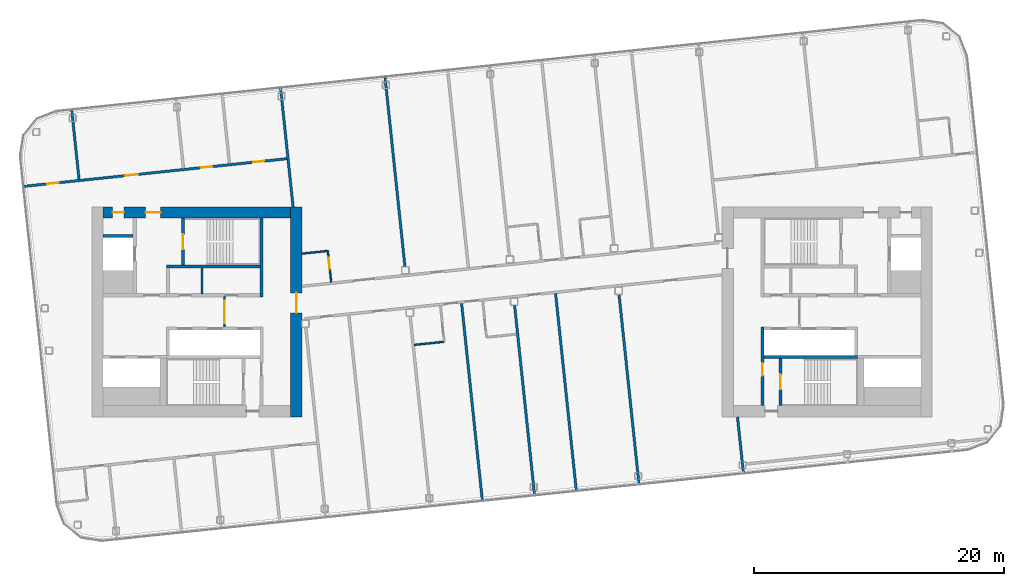
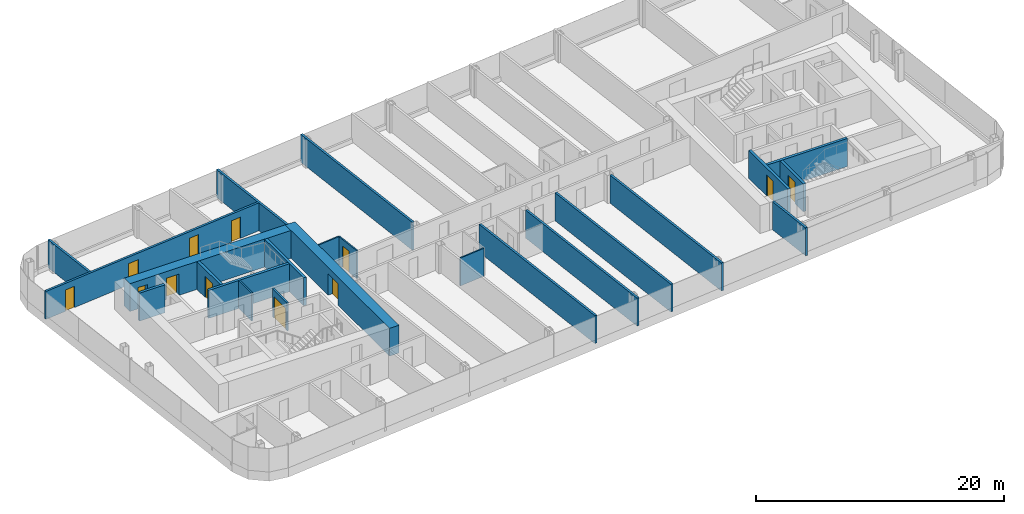
# One storey, part 15 of 27: 23 walls, 12 doors, 12 openings.
"""IFC4 building model written with IfcOpenShell, lengths in metres."""

import ifcopenshell
import ifcopenshell.guid

model = None  # the IFC model being written
_history = None  # IfcOwnerHistory: only IFC2X3 demands one
_inside = {}  # id of a spatial element -> (the spatial element, [elements in it])
_under = {}  # id of a project, library or spatial element -> (it, [spatial elements below it])
_declared = {}  # id of a project -> (the project, [libraries it declares])
_typed = {}  # id of a type object -> (the type object, [elements of that type])
_made_of = {}  # id of a material, layer set ... -> (it, [elements and type objects made of it])


def new_model(schema):
    """Start an empty IFC model of exactly this schema.

    Asked for "IFC4X3", IfcOpenShell would pick the latest addendum, in which some entities
    have other attributes; the version numbers below select the first issue.
    IFC2X3 requires an IfcOwnerHistory on every rooted entity: one is made here for all.
    """
    global model, _history
    if schema == "IFC4X3":
        model = ifcopenshell.file(schema_version=(4, 3, 0, 0))
    else:
        model = ifcopenshell.file(schema=schema)
    _inside.clear()
    _under.clear()
    _declared.clear()
    _typed.clear()
    _made_of.clear()
    _history = None
    if model.schema == "IFC2X3":
        org = make("IfcOrganization", Name="unknown")
        user = make(
            "IfcPersonAndOrganization",
            ThePerson=make("IfcPerson", FamilyName="unknown"),
            TheOrganization=org,
        )
        app = make(
            "IfcApplication",
            ApplicationDeveloper=org,
            Version="unknown",
            ApplicationFullName="unknown",
            ApplicationIdentifier="unknown",
        )
        _history = make(
            "IfcOwnerHistory",
            OwningUser=user,
            OwningApplication=app,
            ChangeAction="ADDED",
            CreationDate=0,
        )
    return model


def make(cls, **values):
    """One entity of the class cls with the attributes given. An attribute that is None is left unset."""
    return model.create_entity(
        cls, **{name: value for name, value in values.items() if value is not None}
    )


def rooted(cls, **values):
    """An entity with a GlobalId (a new one), such as an element, a storey or a relation."""
    return make(cls, GlobalId=ifcopenshell.guid.new(), OwnerHistory=_history, **values)


def si_unit(unit_type, name, prefix=None):
    """IfcSIUnit, for example si_unit("LENGTHUNIT", "METRE", prefix="MILLI")."""
    return make("IfcSIUnit", UnitType=unit_type, Prefix=prefix, Name=name)


def assignment(units):
    """IfcUnitAssignment: the units of a project."""
    return None if units is None else make("IfcUnitAssignment", Units=units)


def point(xyz):
    """IfcCartesianPoint."""
    return None if xyz is None else make("IfcCartesianPoint", Coordinates=xyz)


def direction(xyz):
    """IfcDirection."""
    return None if xyz is None else make("IfcDirection", DirectionRatios=xyz)


def frame(location, z_axis=None, x_axis=None):
    """IfcAxis2Placement3D, a coordinate frame: its origin and axes. An axis left out is left unset."""
    return make(
        "IfcAxis2Placement3D",
        Location=point(location),
        Axis=direction(z_axis),
        RefDirection=direction(x_axis),
    )


def frame_2d(location, x_axis=None):
    """IfcAxis2Placement2D, a coordinate frame in the plane: its origin and x axis."""
    return make(
        "IfcAxis2Placement2D", Location=point(location), RefDirection=direction(x_axis)
    )


def origin():
    """The frame at (0, 0, 0) with its axes left unset."""
    return frame((0.0, 0.0, 0.0))


def place(relative_to, where):
    """IfcLocalPlacement: puts the frame where relative to a parent placement (None: the world)."""
    return make(
        "IfcLocalPlacement", PlacementRelTo=relative_to, RelativePlacement=where
    )


def context(
    kind, dimensions, precision=None, world=None, true_north=None, identifier=None
):
    """IfcGeometricRepresentationContext, for example the 3D "Model" context."""
    return make(
        "IfcGeometricRepresentationContext",
        ContextIdentifier=identifier,
        ContextType=kind,
        CoordinateSpaceDimension=dimensions,
        Precision=precision,
        WorldCoordinateSystem=world,
        TrueNorth=true_north,
    )


def subcontext(parent, identifier, kind, view, scale=None):
    """IfcGeometricRepresentationSubContext, for example "Body" below "Model"."""
    return make(
        "IfcGeometricRepresentationSubContext",
        ContextIdentifier=identifier,
        ContextType=kind,
        ParentContext=parent,
        TargetScale=scale,
        TargetView=view,
    )


def project(units=None, contexts=None):
    """IfcProject with its units and contexts."""
    return rooted(
        "IfcProject",
        Name="project",
        RepresentationContexts=contexts,
        UnitsInContext=assignment(units),
    )


def spatial(cls, under=None, at=None, **own):
    """A site, building, storey or space (cls), placed at a placement, below another one or the project."""
    s = rooted(cls, ObjectPlacement=at, **own)
    if under is not None:
        _under.setdefault(under.id(), (under, []))[1].append(s)
    return s


def profile(cls, at=None, kind="AREA", **sizes):
    """A parametric profile (cls). Its sizes go by their IFC names, for example OverallWidth=200.0."""
    return make(cls, ProfileType=kind, Position=at, **sizes)


def rectangle(**sizes):
    """IfcRectangleProfileDef."""
    return profile("IfcRectangleProfileDef", **sizes)


def extrude(swept, where, along, depth):
    """IfcExtrudedAreaSolid: the profile swept, set in the frame where, extruded along a direction by depth."""
    return make(
        "IfcExtrudedAreaSolid",
        SweptArea=swept,
        Position=where,
        ExtrudedDirection=direction(along),
        Depth=depth,
    )


def shape(context_of_items, identifier, shape_type, items):
    """IfcShapeRepresentation: the items that make up one representation, for example the "Body"."""
    return make(
        "IfcShapeRepresentation",
        ContextOfItems=context_of_items,
        RepresentationIdentifier=identifier,
        RepresentationType=shape_type,
        Items=items,
    )


def material(Name=None, Category=None):
    """IfcMaterial."""
    return make("IfcMaterial", Name=Name, Category=Category)


def layer(
    of_material, thickness, ventilated=None, Name=None, Category=None, Priority=None
):
    """IfcMaterialLayer: one layer of a wall or slab, of a material (None: an air gap)."""
    return make(
        "IfcMaterialLayer",
        Material=of_material,
        LayerThickness=thickness,
        IsVentilated=ventilated,
        Name=Name,
        Category=Category,
        Priority=Priority,
    )


def layer_set(layers, Name=None):
    """IfcMaterialLayerSet."""
    return make("IfcMaterialLayerSet", MaterialLayers=layers, LayerSetName=Name)


def made_of(thing, what):
    """Note that an element or type object is made of a material, layer set ...; save() writes the relation."""
    if what is not None:
        _made_of.setdefault(what.id(), (what, []))[1].append(thing)
    return thing


def type_object(cls, material=None, **own):
    """A type object (cls), such as IfcWallType, which elements share."""
    return made_of(rooted(cls, **own), material)


def element(
    cls,
    number,
    at=None,
    inside=None,
    cuts=None,
    type_object=None,
    material=None,
    context=None,
    identifier="Body",
    shape_type=None,
    held_by="IfcProductDefinitionShape",
    body=None,
    shapes=None,
    **own,
):
    """One element of the class cls, such as IfcWall. Its Tag is "e" and its number.

    at: its placement. inside: the storey or other place that contains it. cuts: it is an
    opening in that element (IfcRelVoidsElement). A single representation is given by context,
    identifier, shape_type and body (its items); several are given by shapes. held_by: the class
    of the entity that holds the representations. save() writes the other relations.
    """
    e = rooted(cls, Tag="e%d" % number, ObjectPlacement=at, **own)
    if body is not None:
        shapes = [shape(context, identifier, shape_type, body)]
    if shapes is not None:
        e.Representation = make(held_by, Representations=shapes)
    if inside is not None:
        _inside.setdefault(inside.id(), (inside, []))[1].append(e)
    if cuts is not None:
        rooted(
            "IfcRelVoidsElement", RelatingBuildingElement=cuts, RelatedOpeningElement=e
        )
    if type_object is not None:
        _typed.setdefault(type_object.id(), (type_object, []))[1].append(e)
    return made_of(e, material)


def fill(opening, filler):
    """IfcRelFillsElement: the door or window that sits in an opening."""
    return rooted(
        "IfcRelFillsElement",
        RelatingOpeningElement=opening,
        RelatedBuildingElement=filler,
    )


def aggregate(whole, parts):
    """IfcRelAggregates: a whole, such as a stair, and the parts it consists of."""
    return rooted("IfcRelAggregates", RelatingObject=whole, RelatedObjects=parts)


def save(model, path):
    """Write the relations noted so far, then the file.

    IfcRelAggregates (storeys below a building ...), IfcRelContainedInSpatialStructure (elements
    in a storey), IfcRelDefinesByType, IfcRelAssociatesMaterial and IfcRelDeclares: one each for
    every whole, place, type object, material and project.
    """
    for whole, parts in _under.values():
        aggregate(whole, parts)
    for where, things in _inside.values():
        rooted(
            "IfcRelContainedInSpatialStructure",
            RelatedElements=things,
            RelatingStructure=where,
        )
    for kind, things in _typed.values():
        rooted("IfcRelDefinesByType", RelatedObjects=things, RelatingType=kind)
    for what, things in _made_of.values():
        rooted("IfcRelAssociatesMaterial", RelatedObjects=things, RelatingMaterial=what)
    for by, libraries in _declared.values():
        rooted("IfcRelDeclares", RelatingContext=by, RelatedDefinitions=libraries)
    model.write(path)


model = new_model("IFC4")

# Units and contexts
model_context = context("Model", 3, precision=1e-05, world=origin(), true_north=direction((0.0, 1.0)))
body_context = subcontext(model_context, "Body", "Model", "MODEL_VIEW")
ifc_project = project(units=[si_unit("LENGTHUNIT", "METRE"), si_unit("AREAUNIT", "SQUARE_METRE"), si_unit("VOLUMEUNIT", "CUBIC_METRE"), si_unit("PLANEANGLEUNIT", "RADIAN"), si_unit("MASSUNIT", "GRAM", prefix="KILO")], contexts=[model_context])

# Site, building, storey
site_placement = place(None, origin())
site = spatial("IfcSite", under=ifc_project, at=site_placement, CompositionType="ELEMENT")
building_placement = place(site_placement, origin())
building = spatial("IfcBuilding", under=site, at=building_placement, Name="Hakoniwa Tower and Hamabe Station Hall", CompositionType="ELEMENT")
storey_placement = place(building_placement, frame((0.0, 0.0, 255.0)))
storey = spatial("IfcBuildingStorey", under=building, at=storey_placement, Name="L72", CompositionType="ELEMENT", Elevation=255.0)

# Wall
ifc_material_1 = material(Name="Gypsum board partition", Category="gypsum")
ifc_layer_1 = layer(ifc_material_1, 0.125)
ifc_layer_set_1 = layer_set([ifc_layer_1], Name="Bathroom Partition 125")
wall_type_1 = type_object("IfcWallType", Name="Bathroom Partition 125", PredefinedType="PARTITIONING", material=ifc_layer_set_1)
wall_1_placement = place(storey_placement, frame((-7.80517578125, -2.64404296875, 0.0), z_axis=(0.0, 0.0, 1.0), x_axis=(0.994519751088, 0.104548862722, 0.0)))
element("IfcWall", 1, at=wall_1_placement, inside=storey, type_object=wall_type_1, Name="GW-L72-004", PredefinedType="PARTITIONING", context=body_context, shape_type="SweptSolid", body=[
    extrude(rectangle(XDim=2.33740234375, YDim=0.125, at=frame_2d((1.168701171875, 0.0))), origin(), (0.0, 0.0, 1.0), 2.75),
])

# Wall, opening, door
ifc_material_2 = material(Name="Gypsum board partition")
ifc_layer_2 = layer(ifc_material_2, 0.14990234375)
ifc_layer_set_2 = layer_set([ifc_layer_2], Name="CORE PARTITION 150 EI 60")
wall_type_2 = type_object("IfcWallType", Name="CORE PARTITION 150 EI 60", PredefinedType="PARTITIONING", material=ifc_layer_set_2)
wall_2_placement = place(storey_placement, frame((-23.0, -1.199951171875, 0.0), z_axis=(0.0, 0.0, 1.0), x_axis=(0.0, 1.0, 0.0)))
wall_2 = element("IfcWall", 2, at=wall_2_placement, inside=storey, type_object=wall_type_2, Name="Core partition PL0 west", PredefinedType="PARTITIONING", context=body_context, shape_type="SweptSolid", body=[
    extrude(rectangle(XDim=2.39990234375, YDim=0.14990234375, at=frame_2d((1.199951171875, 0.0))), origin(), (0.0, 0.0, 1.0), 2.75),
])
opening_1_placement = place(wall_2_placement, frame((0.300048828125, 0.0, 0.0)))
opening_1 = element("IfcOpeningElement", 3, at=opening_1_placement, cuts=wall_2, Name="Opening CD-W-LP0-18", PredefinedType="OPENING", context=body_context, shape_type="SweptSolid", body=[
    extrude(rectangle(XDim=1.800048828125, YDim=2.10009765625, at=frame_2d((0.89990234375, 1.050048828125))), frame((0.0, 0.0849609375, 0.0), z_axis=(0.0, -1.0, 0.0), x_axis=(1.0, 0.0, 0.0)), (0.0, 0.0, 1.0), 0.169921875),
])
ifc_material_3 = material(Name="Steel fire door", Category="steel")
door_type_1 = type_object("IfcDoorType", Name="CORE DOOR 1800 FD60", OperationType="DOUBLE_DOOR_SINGLE_SWING", PredefinedType="DOOR", material=ifc_material_3)
door_1_placement = place(opening_1_placement, origin())
door_1 = element("IfcDoor", 4, at=door_1_placement, inside=storey, type_object=door_type_1, Name="Lift lobby partition door", OperationType="DOUBLE_DOOR_SINGLE_SWING", OverallHeight=2.10009765625, OverallWidth=1.800048828125, PredefinedType="DOOR", context=body_context, shape_type="SweptSolid", body=[
    extrude(rectangle(XDim=1.800048828125, YDim=2.10009765625, at=frame_2d((0.89990234375, 1.050048828125))), frame((0.0, 0.02490234375, 0.0), z_axis=(0.0, -1.0, 0.0), x_axis=(1.0, 0.0, 0.0)), (0.0, 0.0, 1.0), 0.050048828125),
])
fill(opening_1, door_1)

# Wall
wall_3_placement = place(storey_placement, frame((-24.800048828125, 1.449951171875, 0.0), z_axis=(0.0, 0.0, 1.0), x_axis=(0.0, 1.0, 0.0)))
element("IfcWall", 5, at=wall_3_placement, inside=storey, type_object=wall_type_2, Name="Core partition PFLR0 west", PredefinedType="PARTITIONING", context=body_context, shape_type="SweptSolid", body=[
    extrude(rectangle(XDim=2.050048828125, YDim=0.14990234375, at=frame_2d((1.02490234375, 0.0))), origin(), (0.0, 0.0, 1.0), 2.75),
])

# Wall, opening, door
ifc_material_4 = material(Name="Concrete C60", Category="concrete")
ifc_layer_3 = layer(ifc_material_4, 0.89990234375)
ifc_layer_set_3 = layer_set([ifc_layer_3], Name="CORE WALL 900 C60")
wall_type_3 = type_object("IfcWallType", Name="CORE WALL 900 C60", PredefinedType="SHEAR", material=ifc_layer_set_3)
wall_4_placement = place(storey_placement, frame((-17.25, -8.39990234375, 0.0), z_axis=(0.0, 0.0, 1.0), x_axis=(0.0, 1.0, 0.0)))
wall_4 = element("IfcWall", 6, at=wall_4_placement, inside=storey, type_object=wall_type_3, Name="Core wall INNER west", PredefinedType="SHEAR", context=body_context, shape_type="SweptSolid", body=[
    extrude(rectangle(XDim=16.7998046875, YDim=0.89990234375, at=frame_2d((8.39990234375, 0.0))), origin(), (0.0, 0.0, 1.0), 2.75),
])
opening_2_placement = place(wall_4_placement, frame((8.321044921875, 0.0, 0.0)))
opening_2 = element("IfcOpeningElement", 7, at=opening_2_placement, cuts=wall_4, Name="Opening CD-W-IN1-16", PredefinedType="OPENING", context=body_context, shape_type="SweptSolid", body=[
    extrude(rectangle(XDim=1.60009765625, YDim=2.10009765625, at=frame_2d((0.800048828125, 1.050048828125))), frame((0.0, 0.4599609375, 0.0), z_axis=(0.0, -1.0, 0.0), x_axis=(1.0, 0.0, 0.0)), (0.0, 0.0, 1.0), 0.919921875),
])
ifc_material_5 = material(Name="Steel fire door", Category="steel")
door_type_2 = type_object("IfcDoorType", Name="CORE DOOR 1600 FD60", OperationType="DOUBLE_DOOR_SINGLE_SWING", PredefinedType="DOOR", material=ifc_material_5)
door_2_placement = place(opening_2_placement, origin())
door_2 = element("IfcDoor", 8, at=door_2_placement, inside=storey, type_object=door_type_2, Name="Lift lobby door", OperationType="DOUBLE_DOOR_SINGLE_SWING", OverallHeight=2.10009765625, OverallWidth=1.60009765625, PredefinedType="DOOR", context=body_context, shape_type="SweptSolid", body=[
    extrude(rectangle(XDim=1.60009765625, YDim=2.10009765625, at=frame_2d((0.800048828125, 1.050048828125))), frame((0.0, 0.02490234375, 0.0), z_axis=(0.0, -1.0, 0.0), x_axis=(1.0, 0.0, 0.0)), (0.0, 0.0, 1.0), 0.050048828125),
])
fill(opening_2, door_2)

# Wall, openings, doors
wall_5_placement = place(storey_placement, frame((-32.699951171875, 7.949951171875, 0.0), z_axis=(0.0, 0.0, 1.0), x_axis=(1.0, 0.0, 0.0)))
wall_5 = element("IfcWall", 9, at=wall_5_placement, inside=storey, type_object=wall_type_3, Name="Core wall NORTH west", PredefinedType="SHEAR", context=body_context, shape_type="SweptSolid", body=[
    extrude(rectangle(XDim=15.0, YDim=0.89990234375, at=frame_2d((7.5, 0.0))), origin(), (0.0, 0.0, 1.0), 2.75),
])
opening_3_placement = place(wall_5_placement, frame((3.39990234375, 0.0, 0.0)))
opening_3 = element("IfcOpeningElement", 10, at=opening_3_placement, cuts=wall_5, Name="Opening CD-W-FN1-12", PredefinedType="OPENING", context=body_context, shape_type="SweptSolid", body=[
    extrude(rectangle(XDim=1.199951171875, YDim=2.10009765625, at=frame_2d((0.60009765625, 1.050048828125))), frame((0.0, 0.4599609375, 0.0), z_axis=(0.0, -1.0, 0.0), x_axis=(1.0, 0.0, 0.0)), (0.0, 0.0, 1.0), 0.919921875),
])
opening_4_placement = place(wall_5_placement, frame((0.75, 0.0, 0.0)))
opening_4 = element("IfcOpeningElement", 11, at=opening_4_placement, cuts=wall_5, Name="Opening CD-W-FN2-9", PredefinedType="OPENING", context=body_context, shape_type="SweptSolid", body=[
    extrude(rectangle(XDim=0.89990234375, YDim=2.10009765625, at=frame_2d((0.449951171875, 1.050048828125))), frame((0.0, 0.4599609375, 0.0), z_axis=(0.0, -1.0, 0.0), x_axis=(1.0, 0.0, 0.0)), (0.0, 0.0, 1.0), 0.919921875),
])
ifc_material_6 = material(Name="Steel fire door", Category="steel")
door_type_3 = type_object("IfcDoorType", Name="CORE DOOR 1200 FD60", OperationType="DOUBLE_DOOR_SINGLE_SWING", PredefinedType="DOOR", material=ifc_material_6)
door_3_placement = place(opening_3_placement, origin())
door_3 = element("IfcDoor", 12, at=door_3_placement, inside=storey, type_object=door_type_3, Name="Stair vestibule door to the fire-fighting lobby", OperationType="DOUBLE_DOOR_SINGLE_SWING", OverallHeight=2.10009765625, OverallWidth=1.199951171875, PredefinedType="DOOR", context=body_context, shape_type="SweptSolid", body=[
    extrude(rectangle(XDim=1.199951171875, YDim=2.10009765625, at=frame_2d((0.60009765625, 1.050048828125))), frame((0.0, 0.02490234375, 0.0), z_axis=(0.0, -1.0, 0.0), x_axis=(1.0, 0.0, 0.0)), (0.0, 0.0, 1.0), 0.050048828125),
])
fill(opening_3, door_3)
ifc_material_7 = material(Name="Steel fire door", Category="steel")
door_type_4 = type_object("IfcDoorType", Name="CORE DOOR 900 FD30", OperationType="NOTDEFINED", PredefinedType="DOOR", material=ifc_material_7)
door_4_placement = place(opening_4_placement, origin())
door_4 = element("IfcDoor", 13, at=door_4_placement, inside=storey, type_object=door_type_4, Name="Riser access door", OperationType="SINGLE_SWING_RIGHT", OverallHeight=2.10009765625, OverallWidth=0.89990234375, PredefinedType="DOOR", context=body_context, shape_type="SweptSolid", body=[
    extrude(rectangle(XDim=0.89990234375, YDim=2.10009765625, at=frame_2d((0.449951171875, 1.050048828125))), frame((0.0, 0.02490234375, 0.0), z_axis=(0.0, -1.0, 0.0), x_axis=(1.0, 0.0, 0.0)), (0.0, 0.0, 1.0), 0.050048828125),
])
fill(opening_4, door_4)

# Walls
ifc_material_8 = material(Name="Concrete C60", Category="concrete")
ifc_layer_4 = layer(ifc_material_8, 0.25)
ifc_layer_set_4 = layer_set([ifc_layer_4], Name="CORE WEB WALL 250 C60")
wall_type_4 = type_object("IfcWallType", Name="CORE WEB WALL 250 C60", PredefinedType="SHEAR", material=ifc_layer_set_4)
wall_6_placement = place(storey_placement, frame((-20.02490234375, 1.199951171875, 0.0), z_axis=(0.0, 0.0, 1.0), x_axis=(0.0, 1.0, 0.0)))
element("IfcWall", 14, at=wall_6_placement, inside=storey, type_object=wall_type_4, Name="Core wall W1N west", PredefinedType="SHEAR", context=body_context, shape_type="SweptSolid", body=[
    extrude(rectangle(XDim=6.300048828125, YDim=0.25, at=frame_2d((3.14990234375, 0.0))), origin(), (0.0, 0.0, 1.0), 2.75),
])
wall_7_placement = place(storey_placement, frame((-27.64990234375, 3.625, 0.0), z_axis=(0.0, 0.0, 1.0), x_axis=(1.0, 0.0, 0.0)))
element("IfcWall", 15, at=wall_7_placement, inside=storey, type_object=wall_type_4, Name="Core wall NR west", PredefinedType="SHEAR", context=body_context, shape_type="SweptSolid", body=[
    extrude(rectangle(XDim=7.5, YDim=0.25, at=frame_2d((3.75, 0.0))), origin(), (0.0, 0.0, 1.0), 2.75),
])

# Wall, opening, door
wall_8_placement = place(storey_placement, frame((-26.324951171875, 3.75, 0.0), z_axis=(0.0, 0.0, 1.0), x_axis=(0.0, 1.0, 0.0)))
wall_8 = element("IfcWall", 16, at=wall_8_placement, inside=storey, type_object=wall_type_4, Name="Core wall NSE west", PredefinedType="SHEAR", context=body_context, shape_type="SweptSolid", body=[
    extrude(rectangle(XDim=3.75, YDim=0.25, at=frame_2d((1.875, 0.0))), origin(), (0.0, 0.0, 1.0), 2.75),
])
opening_5_placement = place(wall_8_placement, frame((1.25, 0.0, 0.0)))
opening_5 = element("IfcOpeningElement", 17, at=opening_5_placement, cuts=wall_8, Name="Opening CD-W-SN-12", PredefinedType="OPENING", context=body_context, shape_type="SweptSolid", body=[
    extrude(rectangle(XDim=1.199951171875, YDim=2.10009765625, at=frame_2d((0.60009765625, 1.050048828125))), frame((0.0, 0.135009765625, 0.0), z_axis=(0.0, -1.0, 0.0), x_axis=(1.0, 0.0, 0.0)), (0.0, 0.0, 1.0), 0.27001953125),
])
door_5_placement = place(opening_5_placement, origin())
door_5 = element("IfcDoor", 18, at=door_5_placement, inside=storey, type_object=door_type_3, Name="Escape stair door", OperationType="DOUBLE_DOOR_SINGLE_SWING", OverallHeight=2.10009765625, OverallWidth=1.199951171875, PredefinedType="DOOR", context=body_context, shape_type="SweptSolid", body=[
    extrude(rectangle(XDim=1.199951171875, YDim=2.10009765625, at=frame_2d((0.60009765625, 1.050048828125))), frame((0.0, 0.02490234375, 0.0), z_axis=(0.0, -1.0, 0.0), x_axis=(1.0, 0.0, 0.0)), (0.0, 0.0, 1.0), 0.050048828125),
])
fill(opening_5, door_5)

# Wall
wall_9_placement = place(storey_placement, frame((-32.699951171875, 6.074951171875, 0.0), z_axis=(0.0, 0.0, 1.0), x_axis=(1.0, 0.0, 0.0)))
element("IfcWall", 19, at=wall_9_placement, inside=storey, type_object=wall_type_4, Name="Core wall C2 west", PredefinedType="SHEAR", context=body_context, shape_type="SweptSolid", body=[
    extrude(rectangle(XDim=2.39990234375, YDim=0.25, at=frame_2d((1.199951171875, 0.0))), origin(), (0.0, 0.0, 1.0), 2.75),
])

# Wall, opening, door
wall_10_placement = place(storey_placement, frame((20.02490234375, -7.5, 0.0), z_axis=(0.0, 0.0, 1.0), x_axis=(0.0, 1.0, 0.0)))
wall_10 = element("IfcWall", 20, at=wall_10_placement, inside=storey, type_object=wall_type_4, Name="Core wall W1S east", PredefinedType="SHEAR", context=body_context, shape_type="SweptSolid", body=[
    extrude(rectangle(XDim=6.300048828125, YDim=0.25, at=frame_2d((3.14990234375, 0.0))), origin(), (0.0, 0.0, 1.0), 2.75),
])
opening_6_placement = place(wall_10_placement, frame((2.39990234375, 0.0, 0.0)))
opening_6 = element("IfcOpeningElement", 21, at=opening_6_placement, cuts=wall_10, Name="Opening CD-E-VS-10", PredefinedType="OPENING", context=body_context, shape_type="SweptSolid", body=[
    extrude(rectangle(XDim=1.0, YDim=2.10009765625, at=frame_2d((0.5, 1.050048828125))), frame((0.0, 0.135009765625, 0.0), z_axis=(0.0, -1.0, 0.0), x_axis=(1.0, 0.0, 0.0)), (0.0, 0.0, 1.0), 0.27001953125),
])
ifc_material_9 = material(Name="Steel fire door", Category="steel")
door_type_5 = type_object("IfcDoorType", Name="CORE DOOR 1000 FD60", OperationType="NOTDEFINED", PredefinedType="DOOR", material=ifc_material_9)
door_6_placement = place(opening_6_placement, origin())
door_6 = element("IfcDoor", 22, at=door_6_placement, inside=storey, type_object=door_type_5, Name="Stair vestibule door", OperationType="SINGLE_SWING_RIGHT", OverallHeight=2.10009765625, OverallWidth=1.0, PredefinedType="DOOR", context=body_context, shape_type="SweptSolid", body=[
    extrude(rectangle(XDim=1.0, YDim=2.10009765625, at=frame_2d((0.5, 1.050048828125))), frame((0.0, 0.02490234375, 0.0), z_axis=(0.0, -1.0, 0.0), x_axis=(1.0, 0.0, 0.0)), (0.0, 0.0, 1.0), 0.050048828125),
])
fill(opening_6, door_6)

# Wall
wall_11_placement = place(storey_placement, frame((20.14990234375, -3.625, 0.0), z_axis=(0.0, 0.0, 1.0), x_axis=(1.0, 0.0, 0.0)))
element("IfcWall", 23, at=wall_11_placement, inside=storey, type_object=wall_type_4, Name="Core wall SR east", PredefinedType="SHEAR", context=body_context, shape_type="SweptSolid", body=[
    extrude(rectangle(XDim=7.5, YDim=0.25, at=frame_2d((3.75, 0.0))), origin(), (0.0, 0.0, 1.0), 2.75),
])

# Wall, opening, door
wall_12_placement = place(storey_placement, frame((21.47509765625, -7.5, 0.0), z_axis=(0.0, 0.0, 1.0), x_axis=(0.0, 1.0, 0.0)))
wall_12 = element("IfcWall", 24, at=wall_12_placement, inside=storey, type_object=wall_type_4, Name="Core wall VE east", PredefinedType="SHEAR", context=body_context, shape_type="SweptSolid", body=[
    extrude(rectangle(XDim=3.75, YDim=0.25, at=frame_2d((1.875, 0.0))), origin(), (0.0, 0.0, 1.0), 2.75),
])
opening_7_placement = place(wall_12_placement, frame((1.300048828125, 0.0, 0.0)))
opening_7 = element("IfcOpeningElement", 25, at=opening_7_placement, cuts=wall_12, Name="Opening CD-E-SS-12", PredefinedType="OPENING", context=body_context, shape_type="SweptSolid", body=[
    extrude(rectangle(XDim=1.199951171875, YDim=2.10009765625, at=frame_2d((0.60009765625, 1.050048828125))), frame((0.0, 0.135009765625, 0.0), z_axis=(0.0, -1.0, 0.0), x_axis=(1.0, 0.0, 0.0)), (0.0, 0.0, 1.0), 0.27001953125),
])
door_7_placement = place(opening_7_placement, origin())
door_7 = element("IfcDoor", 26, at=door_7_placement, inside=storey, type_object=door_type_3, Name="Escape stair door", OperationType="DOUBLE_DOOR_SINGLE_SWING", OverallHeight=2.10009765625, OverallWidth=1.199951171875, PredefinedType="DOOR", context=body_context, shape_type="SweptSolid", body=[
    extrude(rectangle(XDim=1.199951171875, YDim=2.10009765625, at=frame_2d((0.60009765625, 1.050048828125))), frame((0.0, 0.02490234375, 0.0), z_axis=(0.0, -1.0, 0.0), x_axis=(1.0, 0.0, 0.0)), (0.0, 0.0, 1.0), 0.050048828125),
])
fill(opening_7, door_7)

# Wall, openings, doors
ifc_material_10 = material(Name="Fire-rated gypsum board partition", Category="gypsum")
ifc_layer_5 = layer(ifc_material_10, 0.199951171875)
ifc_layer_set_5 = layer_set([ifc_layer_5], Name="Corridor Wall 200")
wall_type_5 = type_object("IfcWallType", Name="Corridor Wall 200", PredefinedType="PARTITIONING", material=ifc_layer_set_5)
wall_13_placement = place(storey_placement, frame((-39.101806640625, 10.033935546875, 0.0), z_axis=(0.0, 0.0, 1.0), x_axis=(0.994522585465, 0.104521897229, 0.0)))
wall_13 = element("IfcWall", 27, at=wall_13_placement, inside=storey, type_object=wall_type_5, Name="GW-L72-013", PredefinedType="PARTITIONING", context=body_context, shape_type="SweptSolid", body=[
    extrude(rectangle(XDim=21.300048828125, YDim=0.199951171875, at=frame_2d((10.64990234375, 0.0))), origin(), (0.0, 0.0, 1.0), 2.75),
])
opening_8_placement = place(wall_13_placement, frame((1.949951171875, 0.0, 0.0)))
opening_8 = element("IfcOpeningElement", 28, at=opening_8_placement, cuts=wall_13, Name="Opening GD-G5B1-23", PredefinedType="OPENING", context=body_context, shape_type="SweptSolid", body=[
    extrude(rectangle(XDim=0.89990234375, YDim=2.10009765625, at=frame_2d((0.449951171875, 1.050048828125))), frame((0.0, 0.10986328125, 0.0), z_axis=(0.0, -1.0, 0.0), x_axis=(1.0, 0.0, 0.0)), (0.0, 0.0, 1.0), 0.219970703125),
])
opening_9_placement = place(wall_13_placement, frame((8.199951171875, 0.0, 0.0)))
opening_9 = element("IfcOpeningElement", 29, at=opening_9_placement, cuts=wall_13, Name="Opening GD-G5B1-24", PredefinedType="OPENING", context=body_context, shape_type="SweptSolid", body=[
    extrude(rectangle(XDim=1.0, YDim=2.10009765625, at=frame_2d((0.5, 1.050048828125))), frame((0.0, 0.10986328125, 0.0), z_axis=(0.0, -1.0, 0.0), x_axis=(1.0, 0.0, 0.0)), (0.0, 0.0, 1.0), 0.219970703125),
])
opening_10_placement = place(wall_13_placement, frame((14.300048828125, 0.0, 0.0)))
opening_10 = element("IfcOpeningElement", 30, at=opening_10_placement, cuts=wall_13, Name="Opening GD-G5B1-25", PredefinedType="OPENING", context=body_context, shape_type="SweptSolid", body=[
    extrude(rectangle(XDim=0.89990234375, YDim=2.10009765625, at=frame_2d((0.449951171875, 1.050048828125))), frame((0.0, 0.10986328125, 0.0), z_axis=(0.0, -1.0, 0.0), x_axis=(1.0, 0.0, 0.0)), (0.0, 0.0, 1.0), 0.219970703125),
])
opening_11_placement = place(wall_13_placement, frame((18.5, 0.0, 0.0)))
opening_11 = element("IfcOpeningElement", 31, at=opening_11_placement, cuts=wall_13, Name="Opening GD-G5B1-26", PredefinedType="OPENING", context=body_context, shape_type="SweptSolid", body=[
    extrude(rectangle(XDim=0.89990234375, YDim=2.10009765625, at=frame_2d((0.449951171875, 1.050048828125))), frame((0.0, 0.10986328125, 0.0), z_axis=(0.0, -1.0, 0.0), x_axis=(1.0, 0.0, 0.0)), (0.0, 0.0, 1.0), 0.219970703125),
])
ifc_material_11 = material(Name="Timber door leaf", Category="wood")
door_type_6 = type_object("IfcDoorType", Name="Guest Entrance Door 1000", OperationType="SINGLE_SWING_LEFT", PredefinedType="DOOR", material=ifc_material_11)
door_8_placement = place(opening_9_placement, origin())
door_8 = element("IfcDoor", 32, at=door_8_placement, inside=storey, type_object=door_type_6, Name="Door GD-G5B1-24", OperationType="SINGLE_SWING_LEFT", OverallHeight=2.10009765625, OverallWidth=1.0, PredefinedType="DOOR", context=body_context, shape_type="SweptSolid", body=[
    extrude(rectangle(XDim=1.0, YDim=2.10009765625, at=frame_2d((0.5, 1.050048828125))), frame((0.0, 0.02490234375, 0.0), z_axis=(0.0, -1.0, 0.0), x_axis=(1.0, 0.0, 0.0)), (0.0, 0.0, 1.0), 0.050048828125),
])
fill(opening_9, door_8)
ifc_material_12 = material(Name="Timber door leaf", Category="wood")
door_type_7 = type_object("IfcDoorType", Name="Service Door 900", OperationType="SINGLE_SWING_LEFT", PredefinedType="DOOR", material=ifc_material_12)
door_9_placement = place(opening_8_placement, origin())
door_9 = element("IfcDoor", 33, at=door_9_placement, inside=storey, type_object=door_type_7, Name="Door GD-G5B1-23", OperationType="SINGLE_SWING_LEFT", OverallHeight=2.10009765625, OverallWidth=0.89990234375, PredefinedType="DOOR", context=body_context, shape_type="SweptSolid", body=[
    extrude(rectangle(XDim=0.89990234375, YDim=2.10009765625, at=frame_2d((0.449951171875, 1.050048828125))), frame((0.0, 0.02490234375, 0.0), z_axis=(0.0, -1.0, 0.0), x_axis=(1.0, 0.0, 0.0)), (0.0, 0.0, 1.0), 0.050048828125),
])
fill(opening_8, door_9)
door_10_placement = place(opening_10_placement, origin())
door_10 = element("IfcDoor", 34, at=door_10_placement, inside=storey, type_object=door_type_7, Name="Door GD-G5B1-25", OperationType="SINGLE_SWING_RIGHT", OverallHeight=2.10009765625, OverallWidth=0.89990234375, PredefinedType="DOOR", context=body_context, shape_type="SweptSolid", body=[
    extrude(rectangle(XDim=0.89990234375, YDim=2.10009765625, at=frame_2d((0.449951171875, 1.050048828125))), frame((0.0, 0.02490234375, 0.0), z_axis=(0.0, -1.0, 0.0), x_axis=(1.0, 0.0, 0.0)), (0.0, 0.0, 1.0), 0.050048828125),
])
fill(opening_10, door_10)
door_11_placement = place(opening_11_placement, origin())
door_11 = element("IfcDoor", 35, at=door_11_placement, inside=storey, type_object=door_type_7, Name="Door GD-G5B1-26", OperationType="SINGLE_SWING_LEFT", OverallHeight=2.10009765625, OverallWidth=0.89990234375, PredefinedType="DOOR", context=body_context, shape_type="SweptSolid", body=[
    extrude(rectangle(XDim=0.89990234375, YDim=2.10009765625, at=frame_2d((0.449951171875, 1.050048828125))), frame((0.0, 0.02490234375, 0.0), z_axis=(0.0, -1.0, 0.0), x_axis=(1.0, 0.0, 0.0)), (0.0, 0.0, 1.0), 0.050048828125),
])
fill(opening_11, door_11)

# Walls
ifc_material_13 = material(Name="Fire-rated gypsum board partition", Category="gypsum")
ifc_layer_6 = layer(ifc_material_13, 0.199951171875)
ifc_layer_set_6 = layer_set([ifc_layer_6], Name="Party Wall 200")
wall_type_6 = type_object("IfcWallType", Name="Party Wall 200", PredefinedType="PARTITIONING", material=ifc_layer_set_6)
wall_14_placement = place(storey_placement, frame((-34.63671875, 10.603759765625, 0.0), z_axis=(0.0, 0.0, 1.0), x_axis=(-0.104560413987, 0.994518536693, 0.0)))
element("IfcWall", 36, at=wall_14_placement, inside=storey, type_object=wall_type_6, Name="GW-L72-016", PredefinedType="PARTITIONING", context=body_context, shape_type="SweptSolid", body=[
    extrude(rectangle(XDim=5.6201171875, YDim=0.199951171875, at=frame_2d((2.81005859375, 0.0))), origin(), (0.0, 0.0, 1.0), 2.75),
])
wall_15_placement = place(storey_placement, frame((-17.51220703125, 8.39501953125, 0.0), z_axis=(0.0, 0.0, 1.0), x_axis=(-0.104524714473, 0.994522289375, 0.0)))
element("IfcWall", 37, at=wall_15_placement, inside=storey, type_object=wall_type_6, Name="GW-L72-023", PredefinedType="PARTITIONING", context=body_context, shape_type="SweptSolid", body=[
    extrude(rectangle(XDim=9.60693359375, YDim=0.199951171875, at=frame_2d((4.803466796875, 0.0))), origin(), (0.0, 0.0, 1.0), 2.75),
])
wall_16_placement = place(storey_placement, frame((-8.562255859375, 3.6025390625, 0.0), z_axis=(0.0, 0.0, 1.0), x_axis=(-0.104523729364, 0.99452239291, 0.0)))
element("IfcWall", 38, at=wall_16_placement, inside=storey, type_object=wall_type_6, Name="GW-L72-027", PredefinedType="PARTITIONING", context=body_context, shape_type="SweptSolid", body=[
    extrude(rectangle(XDim=15.308349609375, YDim=0.199951171875, at=frame_2d((7.654296875, 0.0))), origin(), (0.0, 0.0, 1.0), 2.75),
])
wall_17_placement = place(storey_placement, frame((-2.36865234375, -15.144287109375, 0.0), z_axis=(0.0, 0.0, 1.0), x_axis=(-0.104534518003, 0.994521258971, 0.0)))
element("IfcWall", 39, at=wall_17_placement, inside=storey, type_object=wall_type_6, Name="GW-L72-029", PredefinedType="PARTITIONING", context=body_context, shape_type="SweptSolid", body=[
    extrude(rectangle(XDim=15.900146484375, YDim=0.199951171875, at=frame_2d((7.9501953125, 0.0))), origin(), (0.0, 0.0, 1.0), 2.75),
])
wall_18_placement = place(storey_placement, frame((1.808349609375, -14.705322265625, 0.0), z_axis=(0.0, 0.0, 1.0), x_axis=(-0.104523729364, 0.99452239291, 0.0)))
element("IfcWall", 40, at=wall_18_placement, inside=storey, type_object=wall_type_6, Name="GW-L72-032", PredefinedType="PARTITIONING", context=body_context, shape_type="SweptSolid", body=[
    extrude(rectangle(XDim=15.308349609375, YDim=0.199951171875, at=frame_2d((7.654296875, 0.0))), origin(), (0.0, 0.0, 1.0), 2.75),
])
wall_19_placement = place(storey_placement, frame((5.14990234375, -14.35400390625, 0.0), z_axis=(0.0, 0.0, 1.0), x_axis=(-0.104519331095, 0.994522855156, 0.0)))
element("IfcWall", 41, at=wall_19_placement, inside=storey, type_object=wall_type_6, Name="GW-L72-035", PredefinedType="PARTITIONING", context=body_context, shape_type="SweptSolid", body=[
    extrude(rectangle(XDim=15.900146484375, YDim=0.199951171875, at=frame_2d((7.9501953125, 0.0))), origin(), (0.0, 0.0, 1.0), 2.75),
])
wall_20_placement = place(storey_placement, frame((10.162353515625, -13.8271484375, 0.0), z_axis=(0.0, 0.0, 1.0), x_axis=(-0.104523729364, 0.99452239291, 0.0)))
element("IfcWall", 42, at=wall_20_placement, inside=storey, type_object=wall_type_6, Name="GW-L72-038", PredefinedType="PARTITIONING", context=body_context, shape_type="SweptSolid", body=[
    extrude(rectangle(XDim=15.308349609375, YDim=0.199951171875, at=frame_2d((7.654296875, 0.0))), origin(), (0.0, 0.0, 1.0), 2.75),
])
wall_21_placement = place(storey_placement, frame((18.516357421875, -12.94921875, 0.0), z_axis=(0.0, 0.0, 1.0), x_axis=(-0.104548796268, 0.994519758074, 0.0)))
element("IfcWall", 43, at=wall_21_placement, inside=storey, type_object=wall_type_6, Name="GW-L72-041", PredefinedType="PARTITIONING", context=body_context, shape_type="SweptSolid", body=[
    extrude(rectangle(XDim=4.579345703125, YDim=0.199951171875, at=frame_2d((2.28955078125, 0.0))), origin(), (0.0, 0.0, 1.0), 2.75),
])
ifc_material_14 = material(Name="Gypsum board partition", Category="gypsum")
ifc_layer_7 = layer(ifc_material_14, 0.125)
ifc_layer_set_7 = layer_set([ifc_layer_7], Name="Room Partition 125")
wall_type_7 = type_object("IfcWallType", Name="Room Partition 125", PredefinedType="PARTITIONING", material=ifc_layer_set_7)
wall_22_placement = place(storey_placement, frame((-16.804931640625, 4.6552734375, 0.0), z_axis=(0.0, 0.0, 1.0), x_axis=(0.994521955988, 0.104527886512, 0.0)))
element("IfcWall", 44, at=wall_22_placement, inside=storey, type_object=wall_type_7, Name="GW-L72-008", PredefinedType="PARTITIONING", context=body_context, shape_type="SweptSolid", body=[
    extrude(rectangle(XDim=2.02490234375, YDim=0.125, at=frame_2d((1.012451171875, 0.0))), origin(), (0.0, 0.0, 1.0), 2.75),
])

# Wall, opening, door
wall_23_placement = place(storey_placement, frame((-14.467529296875, 2.38720703125, 0.0), z_axis=(0.0, 0.0, 1.0), x_axis=(-0.104491611519, 0.994525767953, 0.0)))
wall_23 = element("IfcWall", 45, at=wall_23_placement, inside=storey, type_object=wall_type_7, Name="GW-L72-024", PredefinedType="PARTITIONING", context=body_context, shape_type="SweptSolid", body=[
    extrude(rectangle(XDim=2.5, YDim=0.125, at=frame_2d((1.25, 0.0))), origin(), (0.0, 0.0, 1.0), 2.75),
])
opening_12_placement = place(wall_23_placement, frame((1.050048828125, 0.0, 0.0)))
opening_12 = element("IfcOpeningElement", 46, at=opening_12_placement, cuts=wall_23, Name="Opening GD-G5B1-28", PredefinedType="OPENING", context=body_context, shape_type="SweptSolid", body=[
    extrude(rectangle(XDim=0.89990234375, YDim=2.10009765625, at=frame_2d((0.449951171875, 1.050048828125))), frame((0.0, 0.072509765625, 0.0), z_axis=(0.0, -1.0, 0.0), x_axis=(1.0, 0.0, 0.0)), (0.0, 0.0, 1.0), 0.14501953125),
])
ifc_material_15 = material(Name="Timber door leaf", Category="wood")
door_type_8 = type_object("IfcDoorType", Name="Suite Interior Door 900", OperationType="SINGLE_SWING_LEFT", PredefinedType="DOOR", material=ifc_material_15)
door_12_placement = place(opening_12_placement, origin())
door_12 = element("IfcDoor", 47, at=door_12_placement, inside=storey, type_object=door_type_8, Name="Door GD-G5B1-28", OperationType="SINGLE_SWING_LEFT", OverallHeight=2.10009765625, OverallWidth=0.89990234375, PredefinedType="DOOR", context=body_context, shape_type="SweptSolid", body=[
    extrude(rectangle(XDim=0.89990234375, YDim=2.10009765625, at=frame_2d((0.449951171875, 1.050048828125))), frame((0.0, 0.02490234375, 0.0), z_axis=(0.0, -1.0, 0.0), x_axis=(1.0, 0.0, 0.0)), (0.0, 0.0, 1.0), 0.050048828125),
])
fill(opening_12, door_12)

save(model, "model.ifc")
